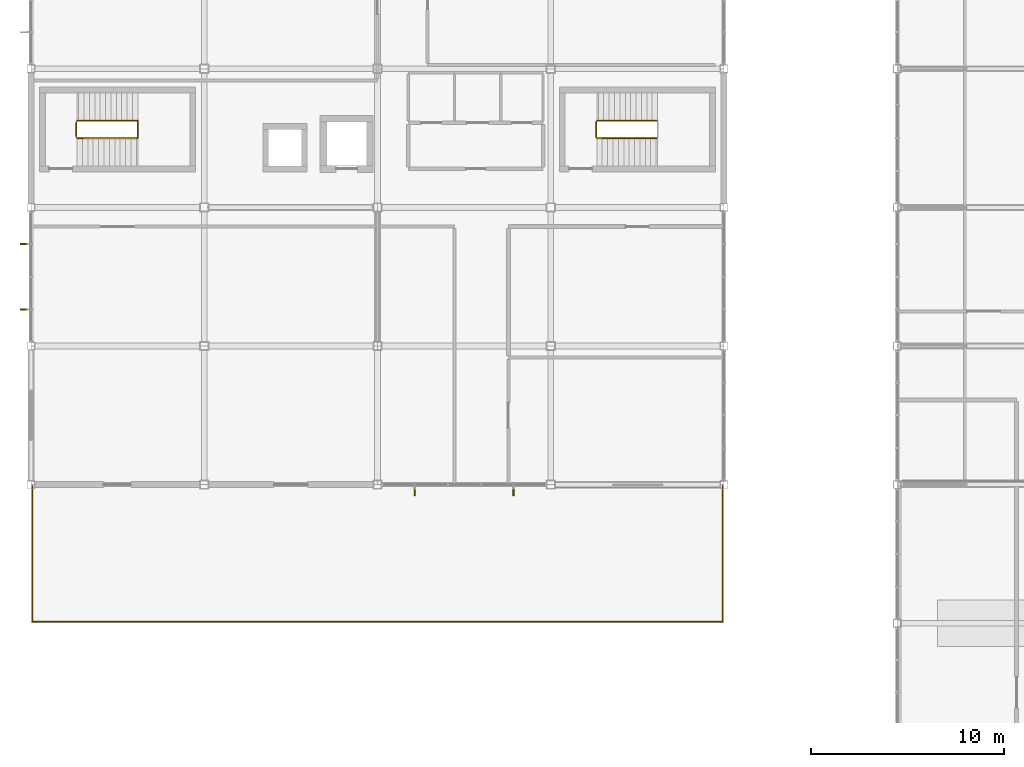
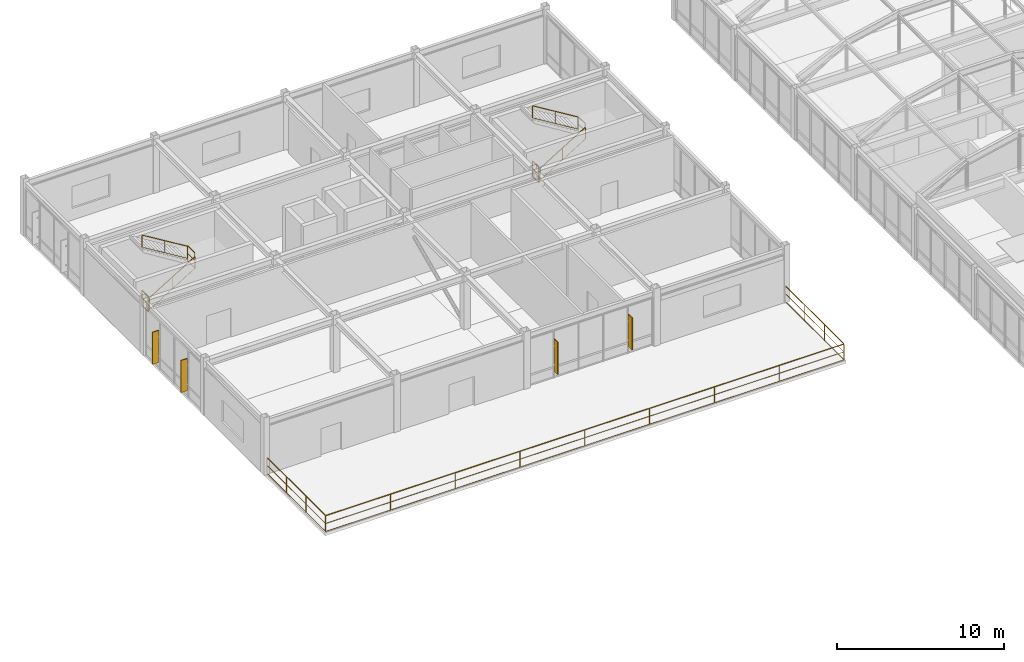
# One storey, part 99 of 106: 10 railings, 4 shading devices.
"""IFC4 building model written with IfcOpenShell, lengths in metres."""

import ifcopenshell
import ifcopenshell.guid

model = None  # the IFC model being written
_history = None  # IfcOwnerHistory: only IFC2X3 demands one
_inside = {}  # id of a spatial element -> (the spatial element, [elements in it])
_under = {}  # id of a project, library or spatial element -> (it, [spatial elements below it])
_declared = {}  # id of a project -> (the project, [libraries it declares])
_typed = {}  # id of a type object -> (the type object, [elements of that type])
_made_of = {}  # id of a material, layer set ... -> (it, [elements and type objects made of it])


def new_model(schema):
    """Start an empty IFC model of exactly this schema.

    Asked for "IFC4X3", IfcOpenShell would pick the latest addendum, in which some entities
    have other attributes; the version numbers below select the first issue.
    IFC2X3 requires an IfcOwnerHistory on every rooted entity: one is made here for all.
    """
    global model, _history
    if schema == "IFC4X3":
        model = ifcopenshell.file(schema_version=(4, 3, 0, 0))
    else:
        model = ifcopenshell.file(schema=schema)
    _inside.clear()
    _under.clear()
    _declared.clear()
    _typed.clear()
    _made_of.clear()
    _history = None
    if model.schema == "IFC2X3":
        org = make("IfcOrganization", Name="unknown")
        user = make(
            "IfcPersonAndOrganization",
            ThePerson=make("IfcPerson", FamilyName="unknown"),
            TheOrganization=org,
        )
        app = make(
            "IfcApplication",
            ApplicationDeveloper=org,
            Version="unknown",
            ApplicationFullName="unknown",
            ApplicationIdentifier="unknown",
        )
        _history = make(
            "IfcOwnerHistory",
            OwningUser=user,
            OwningApplication=app,
            ChangeAction="ADDED",
            CreationDate=0,
        )
    return model


def make(cls, **values):
    """One entity of the class cls with the attributes given. An attribute that is None is left unset."""
    return model.create_entity(
        cls, **{name: value for name, value in values.items() if value is not None}
    )


def rooted(cls, **values):
    """An entity with a GlobalId (a new one), such as an element, a storey or a relation."""
    return make(cls, GlobalId=ifcopenshell.guid.new(), OwnerHistory=_history, **values)


def si_unit(unit_type, name, prefix=None):
    """IfcSIUnit, for example si_unit("LENGTHUNIT", "METRE", prefix="MILLI")."""
    return make("IfcSIUnit", UnitType=unit_type, Prefix=prefix, Name=name)


def assignment(units):
    """IfcUnitAssignment: the units of a project."""
    return None if units is None else make("IfcUnitAssignment", Units=units)


def point(xyz):
    """IfcCartesianPoint."""
    return None if xyz is None else make("IfcCartesianPoint", Coordinates=xyz)


def direction(xyz):
    """IfcDirection."""
    return None if xyz is None else make("IfcDirection", DirectionRatios=xyz)


def frame(location, z_axis=None, x_axis=None):
    """IfcAxis2Placement3D, a coordinate frame: its origin and axes. An axis left out is left unset."""
    return make(
        "IfcAxis2Placement3D",
        Location=point(location),
        Axis=direction(z_axis),
        RefDirection=direction(x_axis),
    )


def frame_2d(location, x_axis=None):
    """IfcAxis2Placement2D, a coordinate frame in the plane: its origin and x axis."""
    return make(
        "IfcAxis2Placement2D", Location=point(location), RefDirection=direction(x_axis)
    )


def origin():
    """The frame at (0, 0, 0) with its axes left unset."""
    return frame((0.0, 0.0, 0.0))


def origin_2d():
    """The frame at (0, 0) in the plane with its x axis left unset."""
    return frame_2d((0.0, 0.0))


def place(relative_to, where):
    """IfcLocalPlacement: puts the frame where relative to a parent placement (None: the world)."""
    return make(
        "IfcLocalPlacement", PlacementRelTo=relative_to, RelativePlacement=where
    )


def context(
    kind, dimensions, precision=None, world=None, true_north=None, identifier=None
):
    """IfcGeometricRepresentationContext, for example the 3D "Model" context."""
    return make(
        "IfcGeometricRepresentationContext",
        ContextIdentifier=identifier,
        ContextType=kind,
        CoordinateSpaceDimension=dimensions,
        Precision=precision,
        WorldCoordinateSystem=world,
        TrueNorth=true_north,
    )


def subcontext(parent, identifier, kind, view, scale=None):
    """IfcGeometricRepresentationSubContext, for example "Body" below "Model"."""
    return make(
        "IfcGeometricRepresentationSubContext",
        ContextIdentifier=identifier,
        ContextType=kind,
        ParentContext=parent,
        TargetScale=scale,
        TargetView=view,
    )


def project(units=None, contexts=None):
    """IfcProject with its units and contexts."""
    return rooted(
        "IfcProject",
        Name="project",
        RepresentationContexts=contexts,
        UnitsInContext=assignment(units),
    )


def spatial(cls, under=None, at=None, **own):
    """A site, building, storey or space (cls), placed at a placement, below another one or the project."""
    s = rooted(cls, ObjectPlacement=at, **own)
    if under is not None:
        _under.setdefault(under.id(), (under, []))[1].append(s)
    return s


def profile(cls, at=None, kind="AREA", **sizes):
    """A parametric profile (cls). Its sizes go by their IFC names, for example OverallWidth=200.0."""
    return make(cls, ProfileType=kind, Position=at, **sizes)


def rectangle(**sizes):
    """IfcRectangleProfileDef."""
    return profile("IfcRectangleProfileDef", **sizes)


def extrude(swept, where, along, depth):
    """IfcExtrudedAreaSolid: the profile swept, set in the frame where, extruded along a direction by depth."""
    return make(
        "IfcExtrudedAreaSolid",
        SweptArea=swept,
        Position=where,
        ExtrudedDirection=direction(along),
        Depth=depth,
    )


def shape(context_of_items, identifier, shape_type, items):
    """IfcShapeRepresentation: the items that make up one representation, for example the "Body"."""
    return make(
        "IfcShapeRepresentation",
        ContextOfItems=context_of_items,
        RepresentationIdentifier=identifier,
        RepresentationType=shape_type,
        Items=items,
    )


def material(Name=None, Category=None):
    """IfcMaterial."""
    return make("IfcMaterial", Name=Name, Category=Category)


def made_of(thing, what):
    """Note that an element or type object is made of a material, layer set ...; save() writes the relation."""
    if what is not None:
        _made_of.setdefault(what.id(), (what, []))[1].append(thing)
    return thing


def type_object(cls, material=None, **own):
    """A type object (cls), such as IfcWallType, which elements share."""
    return made_of(rooted(cls, **own), material)


def element(
    cls,
    number,
    at=None,
    inside=None,
    cuts=None,
    type_object=None,
    material=None,
    context=None,
    identifier="Body",
    shape_type=None,
    held_by="IfcProductDefinitionShape",
    body=None,
    shapes=None,
    **own,
):
    """One element of the class cls, such as IfcWall. Its Tag is "e" and its number.

    at: its placement. inside: the storey or other place that contains it. cuts: it is an
    opening in that element (IfcRelVoidsElement). A single representation is given by context,
    identifier, shape_type and body (its items); several are given by shapes. held_by: the class
    of the entity that holds the representations. save() writes the other relations.
    """
    e = rooted(cls, Tag="e%d" % number, ObjectPlacement=at, **own)
    if body is not None:
        shapes = [shape(context, identifier, shape_type, body)]
    if shapes is not None:
        e.Representation = make(held_by, Representations=shapes)
    if inside is not None:
        _inside.setdefault(inside.id(), (inside, []))[1].append(e)
    if cuts is not None:
        rooted(
            "IfcRelVoidsElement", RelatingBuildingElement=cuts, RelatedOpeningElement=e
        )
    if type_object is not None:
        _typed.setdefault(type_object.id(), (type_object, []))[1].append(e)
    return made_of(e, material)


def aggregate(whole, parts):
    """IfcRelAggregates: a whole, such as a stair, and the parts it consists of."""
    return rooted("IfcRelAggregates", RelatingObject=whole, RelatedObjects=parts)


def save(model, path):
    """Write the relations noted so far, then the file.

    IfcRelAggregates (storeys below a building ...), IfcRelContainedInSpatialStructure (elements
    in a storey), IfcRelDefinesByType, IfcRelAssociatesMaterial and IfcRelDeclares: one each for
    every whole, place, type object, material and project.
    """
    for whole, parts in _under.values():
        aggregate(whole, parts)
    for where, things in _inside.values():
        rooted(
            "IfcRelContainedInSpatialStructure",
            RelatedElements=things,
            RelatingStructure=where,
        )
    for kind, things in _typed.values():
        rooted("IfcRelDefinesByType", RelatedObjects=things, RelatingType=kind)
    for what, things in _made_of.values():
        rooted("IfcRelAssociatesMaterial", RelatedObjects=things, RelatingMaterial=what)
    for by, libraries in _declared.values():
        rooted("IfcRelDeclares", RelatingContext=by, RelatedDefinitions=libraries)
    model.write(path)


model = new_model("IFC4")

# Units and contexts
model_context = context("Model", 3, precision=1e-05, world=origin(), true_north=direction((0.0, 1.0)))
body_context = subcontext(model_context, "Body", "Model", "MODEL_VIEW")
ifc_project = project(units=[si_unit("LENGTHUNIT", "METRE"), si_unit("AREAUNIT", "SQUARE_METRE"), si_unit("VOLUMEUNIT", "CUBIC_METRE"), si_unit("PLANEANGLEUNIT", "RADIAN"), si_unit("MASSUNIT", "GRAM", prefix="KILO")], contexts=[model_context])

# Site, building, storey
site_placement = place(None, origin())
site = spatial("IfcSite", under=ifc_project, at=site_placement, CompositionType="ELEMENT")
building_placement = place(site_placement, origin())
building = spatial("IfcBuilding", under=site, at=building_placement, Name="Kazanami Central Library", CompositionType="ELEMENT")
storey_placement = place(building_placement, frame((0.0, 0.0, 12.800048828125)))
storey = spatial("IfcBuildingStorey", under=building, at=storey_placement, Name="L04", CompositionType="ELEMENT", Elevation=12.800048828125)

# Railings
ifc_material_1 = material(Name="Stainless Steel SUS304", Category="steel")
railing_type_1 = type_object("IfcRailingType", Name="RAL-GR-S1", PredefinedType="GUARDRAIL", material=ifc_material_1)
railing_1_placement = place(storey_placement, frame((2.360107421875, 82.8701171875, 0.0)))
element("IfcRailing", 1, at=railing_1_placement, inside=storey, type_object=railing_type_1, Name="Stair Well Guard ST-05 L04", PredefinedType="GUARDRAIL", context=body_context, shape_type="SweptSolid", body=[
    extrude(rectangle(XDim=0.0439453125, YDim=0.0439453125, at=origin_2d()), frame((0.0, 0.02587890625, 1.1279296875), z_axis=(0.0, 1.0, 0.0), x_axis=(-1.0, 0.0, 0.0)), (0.0, 0.0, 1.0), 0.707763671875),
    extrude(rectangle(XDim=0.02392578125, YDim=0.02392578125, at=origin_2d()), frame((0.0, 0.02587890625, 0.015869140625), z_axis=(0.0, 1.0, 0.0), x_axis=(-1.0, 0.0, 0.0)), (0.0, 0.0, 1.0), 0.707763671875),
    extrude(rectangle(XDim=0.02392578125, YDim=0.02392578125, at=origin_2d()), frame((0.0, 0.02587890625, 0.574951171875), z_axis=(0.0, 1.0, 0.0), x_axis=(-1.0, 0.0, 0.0)), (0.0, 0.0, 1.0), 0.707763671875),
    extrude(rectangle(XDim=0.035888671875, YDim=0.035888671875, at=origin_2d()), origin(), (0.0, 0.0, 1.0), 1.10205078125),
    extrude(rectangle(XDim=0.035888671875, YDim=0.035888671875, at=origin_2d()), frame((0.0, 0.759765625, 0.0)), (0.0, 0.0, 1.0), 1.10205078125),
])
railing_2_placement = place(storey_placement, frame((5.548095703125, 82.820068359375, 2.099853515625)))
element("IfcRailing", 2, at=railing_2_placement, inside=storey, type_object=railing_type_1, Name="Half-Landing Well Guard ST-05 L04", PredefinedType="GUARDRAIL", context=body_context, shape_type="SweptSolid", body=[
    extrude(rectangle(XDim=0.0439453125, YDim=0.0439453125, at=origin_2d()), frame((0.0, 0.02587890625, 1.1279296875), z_axis=(0.0, 1.0, 0.0), x_axis=(-1.0, 0.0, 0.0)), (0.0, 0.0, 1.0), 0.807861328125),
    extrude(rectangle(XDim=0.02392578125, YDim=0.02392578125, at=origin_2d()), frame((0.0, 0.02587890625, 0.015869140625), z_axis=(0.0, 1.0, 0.0), x_axis=(-1.0, 0.0, 0.0)), (0.0, 0.0, 1.0), 0.807861328125),
    extrude(rectangle(XDim=0.02392578125, YDim=0.02392578125, at=origin_2d()), frame((0.0, 0.02587890625, 0.574951171875), z_axis=(0.0, 1.0, 0.0), x_axis=(-1.0, 0.0, 0.0)), (0.0, 0.0, 1.0), 0.807861328125),
    extrude(rectangle(XDim=0.035888671875, YDim=0.035888671875, at=origin_2d()), origin(), (0.0, 0.0, 1.0), 1.10205078125),
    extrude(rectangle(XDim=0.035888671875, YDim=0.035888671875, at=origin_2d()), frame((0.0, 0.85986328125, 0.0)), (0.0, 0.0, 1.0), 1.10205078125),
])
railing_3_placement = place(storey_placement, frame((29.360107421875, 82.8701171875, 0.0)))
element("IfcRailing", 3, at=railing_3_placement, inside=storey, type_object=railing_type_1, Name="Stair Well Guard ST-06 L04", PredefinedType="GUARDRAIL", context=body_context, shape_type="SweptSolid", body=[
    extrude(rectangle(XDim=0.0439453125, YDim=0.0439453125, at=origin_2d()), frame((0.0, 0.02587890625, 1.1279296875), z_axis=(0.0, 1.0, 0.0), x_axis=(-1.0, 0.0, 0.0)), (0.0, 0.0, 1.0), 0.707763671875),
    extrude(rectangle(XDim=0.02392578125, YDim=0.02392578125, at=origin_2d()), frame((0.0, 0.02587890625, 0.015869140625), z_axis=(0.0, 1.0, 0.0), x_axis=(-1.0, 0.0, 0.0)), (0.0, 0.0, 1.0), 0.707763671875),
    extrude(rectangle(XDim=0.02392578125, YDim=0.02392578125, at=origin_2d()), frame((0.0, 0.02587890625, 0.574951171875), z_axis=(0.0, 1.0, 0.0), x_axis=(-1.0, 0.0, 0.0)), (0.0, 0.0, 1.0), 0.707763671875),
    extrude(rectangle(XDim=0.035888671875, YDim=0.035888671875, at=origin_2d()), origin(), (0.0, 0.0, 1.0), 1.10205078125),
    extrude(rectangle(XDim=0.035888671875, YDim=0.035888671875, at=origin_2d()), frame((0.0, 0.759765625, 0.0)), (0.0, 0.0, 1.0), 1.10205078125),
])
railing_type_2 = type_object("IfcRailingType", Name="RAL-GR-T2", PredefinedType="GUARDRAIL", material=ifc_material_1)
railing_4_placement = place(storey_placement, frame((0.080078125, 57.679931640625, 0.0)))
element("IfcRailing", 4, at=railing_4_placement, inside=storey, type_object=railing_type_2, Name="Terrace Perimeter Guard Research Wing South Garden Terrace L04 (South)", PredefinedType="GUARDRAIL", context=body_context, shape_type="SweptSolid", body=[
    extrude(rectangle(XDim=0.0439453125, YDim=0.0439453125, at=origin_2d()), frame((0.02587890625, 0.0, 1.177978515625), z_axis=(1.0, 0.0, 0.0), x_axis=(0.0, 1.0, 0.0)), (0.0, 0.0, 1.0), 35.787841796875),
    extrude(rectangle(XDim=0.02392578125, YDim=0.02392578125, at=origin_2d()), frame((0.02587890625, 0.0, 0.015869140625), z_axis=(1.0, 0.0, 0.0), x_axis=(0.0, 1.0, 0.0)), (0.0, 0.0, 1.0), 35.787841796875),
    extrude(rectangle(XDim=0.02392578125, YDim=0.02392578125, at=origin_2d()), frame((0.02587890625, 0.0, 0.60009765625), z_axis=(1.0, 0.0, 0.0), x_axis=(0.0, 1.0, 0.0)), (0.0, 0.0, 1.0), 35.787841796875),
    extrude(rectangle(XDim=0.035888671875, YDim=0.035888671875, at=origin_2d()), origin(), (0.0, 0.0, 1.0), 1.152099609375),
    extrude(rectangle(XDim=0.035888671875, YDim=0.035888671875, at=origin_2d()), frame((4.47998046875, 0.0, 0.0)), (0.0, 0.0, 1.0), 1.152099609375),
    extrude(rectangle(XDim=0.035888671875, YDim=0.035888671875, at=origin_2d()), frame((8.9599609375, 0.0, 0.0)), (0.0, 0.0, 1.0), 1.152099609375),
    extrude(rectangle(XDim=0.035888671875, YDim=0.035888671875, at=origin_2d()), frame((13.43994140625, 0.0, 0.0)), (0.0, 0.0, 1.0), 1.152099609375),
    extrude(rectangle(XDim=0.035888671875, YDim=0.035888671875, at=origin_2d()), frame((17.919921875, 0.0, 0.0)), (0.0, 0.0, 1.0), 1.152099609375),
    extrude(rectangle(XDim=0.035888671875, YDim=0.035888671875, at=origin_2d()), frame((22.39990234375, 0.0, 0.0)), (0.0, 0.0, 1.0), 1.152099609375),
    extrude(rectangle(XDim=0.035888671875, YDim=0.035888671875, at=origin_2d()), frame((26.8798828125, 0.0, 0.0)), (0.0, 0.0, 1.0), 1.152099609375),
    extrude(rectangle(XDim=0.035888671875, YDim=0.035888671875, at=origin_2d()), frame((31.35986328125, 0.0, 0.0)), (0.0, 0.0, 1.0), 1.152099609375),
    extrude(rectangle(XDim=0.035888671875, YDim=0.035888671875, at=origin_2d()), frame((35.83984375, 0.0, 0.0)), (0.0, 0.0, 1.0), 1.152099609375),
])
for number, where, name in (
    (5, (0.080078125, 57.679931640625, 0.0), "Terrace Perimeter Guard Research Wing South Garden Terrace L04 (West)"),
    (6, (35.919921875, 57.679931640625, 0.0), "Terrace Perimeter Guard Research Wing South Garden Terrace L04 (East)"),
):
    element("IfcRailing", number, at=place(storey_placement, frame(where)), inside=storey, type_object=railing_type_2, Name=name, PredefinedType="GUARDRAIL", context=body_context, shape_type="SweptSolid", body=[
        extrude(rectangle(XDim=0.0439453125, YDim=0.0439453125, at=origin_2d()), frame((0.0, 0.02587890625, 1.177978515625), z_axis=(0.0, 1.0, 0.0), x_axis=(-1.0, 0.0, 0.0)), (0.0, 0.0, 1.0), 6.988037109375),
        extrude(rectangle(XDim=0.02392578125, YDim=0.02392578125, at=origin_2d()), frame((0.0, 0.02587890625, 0.015869140625), z_axis=(0.0, 1.0, 0.0), x_axis=(-1.0, 0.0, 0.0)), (0.0, 0.0, 1.0), 6.988037109375),
        extrude(rectangle(XDim=0.02392578125, YDim=0.02392578125, at=origin_2d()), frame((0.0, 0.02587890625, 0.60009765625), z_axis=(0.0, 1.0, 0.0), x_axis=(-1.0, 0.0, 0.0)), (0.0, 0.0, 1.0), 6.988037109375),
        extrude(rectangle(XDim=0.035888671875, YDim=0.035888671875, at=origin_2d()), origin(), (0.0, 0.0, 1.0), 1.152099609375),
        extrude(rectangle(XDim=0.035888671875, YDim=0.035888671875, at=origin_2d()), frame((0.0, 2.3466796875, 0.0)), (0.0, 0.0, 1.0), 1.152099609375),
        extrude(rectangle(XDim=0.035888671875, YDim=0.035888671875, at=origin_2d()), frame((0.0, 4.693359375, 0.0)), (0.0, 0.0, 1.0), 1.152099609375),
        extrude(rectangle(XDim=0.035888671875, YDim=0.035888671875, at=origin_2d()), frame((0.0, 7.0400390625, 0.0)), (0.0, 0.0, 1.0), 1.152099609375),
    ])
railing_type_3 = type_object("IfcRailingType", Name="RAL-HR-01", PredefinedType="HANDRAIL", material=ifc_material_1)
for number, where, name in (
    (7, (2.39404296875, 82.800048828125, 0.175048828125), "Stair Handrail ST-05 Flight 1 (L04)"),
    (8, (29.39404296875, 82.800048828125, 0.175048828125), "Stair Handrail ST-06 Flight 1 (L04)"),
):
    element("IfcRailing", number, at=place(storey_placement, frame(where)), inside=storey, type_object=railing_type_3, Name=name, PredefinedType="HANDRAIL", context=body_context, shape_type="SweptSolid", body=[
        extrude(rectangle(XDim=0.0439453125, YDim=0.0439453125, at=origin_2d()), frame((0.022216796875, 0.0, 0.891357421875), z_axis=(0.853603426841, 0.0, 0.520923400977), x_axis=(0.0, 1.0, 0.0)), (0.0, 0.0, 1.0), 3.64306640625),
        extrude(rectangle(XDim=0.02392578125, YDim=0.02392578125, at=origin_2d()), frame((0.022216796875, 0.0, 0.029541015625), z_axis=(0.853603426841, 0.0, 0.520923400977), x_axis=(0.0, 1.0, 0.0)), (0.0, 0.0, 1.0), 3.64306640625),
        extrude(rectangle(XDim=0.035888671875, YDim=0.035888671875, at=origin_2d()), origin(), (0.0, 0.0, 1.0), 0.85205078125),
        extrude(rectangle(XDim=0.035888671875, YDim=0.035888671875, at=origin_2d()), frame((1.5771484375, 0.0, 0.96240234375)), (0.0, 0.0, 1.0), 0.85205078125),
        extrude(rectangle(XDim=0.035888671875, YDim=0.035888671875, at=origin_2d()), frame((3.154052734375, 0.0, 1.9248046875)), (0.0, 0.0, 1.0), 0.85205078125),
    ])
railing_type_4 = type_object("IfcRailingType", Name="RAL-HR-02", PredefinedType="HANDRAIL", material=ifc_material_1)
for number, where, name in (
    (9, (5.553955078125, 83.699951171875, 2.27490234375), "Stair Handrail ST-05 Flight 2 (L04)"),
    (10, (32.553955078125, 83.699951171875, 2.27490234375), "Stair Handrail ST-06 Flight 2 (L04)"),
):
    element("IfcRailing", number, at=place(storey_placement, frame(where)), inside=storey, type_object=railing_type_4, Name=name, PredefinedType="HANDRAIL", context=body_context, shape_type="SweptSolid", body=[
        extrude(rectangle(XDim=0.0439453125, YDim=0.0439453125, at=origin_2d()), frame((-0.022216796875, 0.0, 0.911376953125), z_axis=(-0.853574046124, 0.0, 0.520971542201), x_axis=(0.0, -1.0, 0.0)), (0.0, 0.0, 1.0), 3.64306640625),
        extrude(rectangle(XDim=0.02392578125, YDim=0.02392578125, at=origin_2d()), frame((-0.022216796875, 0.0, 0.029541015625), z_axis=(-0.853574046124, 0.0, 0.520971542201), x_axis=(0.0, -1.0, 0.0)), (0.0, 0.0, 1.0), 3.64306640625),
        extrude(rectangle(XDim=0.035888671875, YDim=0.035888671875, at=origin_2d()), origin(), (0.0, 0.0, 1.0), 0.8720703125),
        extrude(rectangle(XDim=0.035888671875, YDim=0.035888671875, at=origin_2d()), frame((-1.5771484375, 0.0, 0.96240234375)), (0.0, 0.0, 1.0), 0.8720703125),
        extrude(rectangle(XDim=0.035888671875, YDim=0.035888671875, at=origin_2d()), frame((-3.154052734375, 0.0, 1.925048828125)), (0.0, 0.0, 1.0), 0.8720703125),
    ])

# Shading devices
ifc_material_2 = material(Name="Anodised Bronze-Grey Aluminium A6063-T5", Category="aluminium")
shading_device_type = type_object("IfcShadingDeviceType", Name="SHD-FIN-3", PredefinedType="USERDEFINED", material=ifc_material_2)
for number, where, z_axis, x_axis, name in (
    (11, (19.93505859375, 64.455078125, 0.56982421875), (0.0, 0.0, 1.0), (1.0, 0.0, 0.0), "Vertical Solar Fin SF-03 L04 S-K-02.1"),
    (12, (25.06494140625, 64.455078125, 0.56982421875), (0.0, 0.0, 1.0), (1.0, 0.0, 0.0), "Vertical Solar Fin SF-03 L04 S-K-02.2"),
    (13, (-0.344970703125, 73.89990234375, 0.56982421875), (0.0, 0.0, 1.0), (0.0, 1.0, 0.0), "Vertical Solar Fin SF-03 L04 W-1-10.1"),
    (14, (-0.344970703125, 77.300048828125, 0.56982421875), (0.0, 0.0, 1.0), (0.0, 1.0, 0.0), "Vertical Solar Fin SF-03 L04 W-1-10.2"),
):
    element("IfcShadingDevice", number, at=place(storey_placement, frame(where, z_axis=z_axis, x_axis=x_axis)), inside=storey, type_object=shading_device_type, Name=name, ObjectType="SOLAR FIN", PredefinedType="USERDEFINED", context=body_context, shape_type="SweptSolid", body=[
        extrude(rectangle(XDim=0.06494140625, YDim=0.449951171875, at=origin_2d()), origin(), (0.0, 0.0, 1.0), 2.35009765625),
    ])

save(model, "model.ifc")
